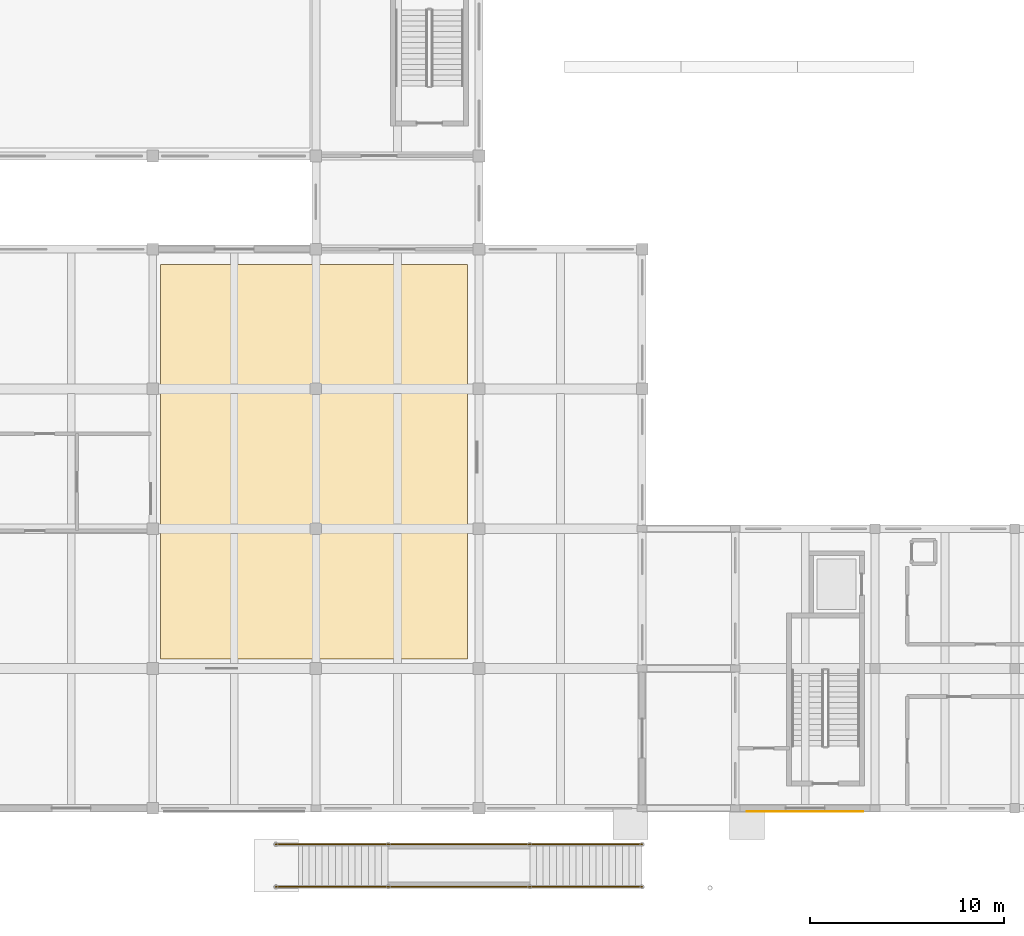
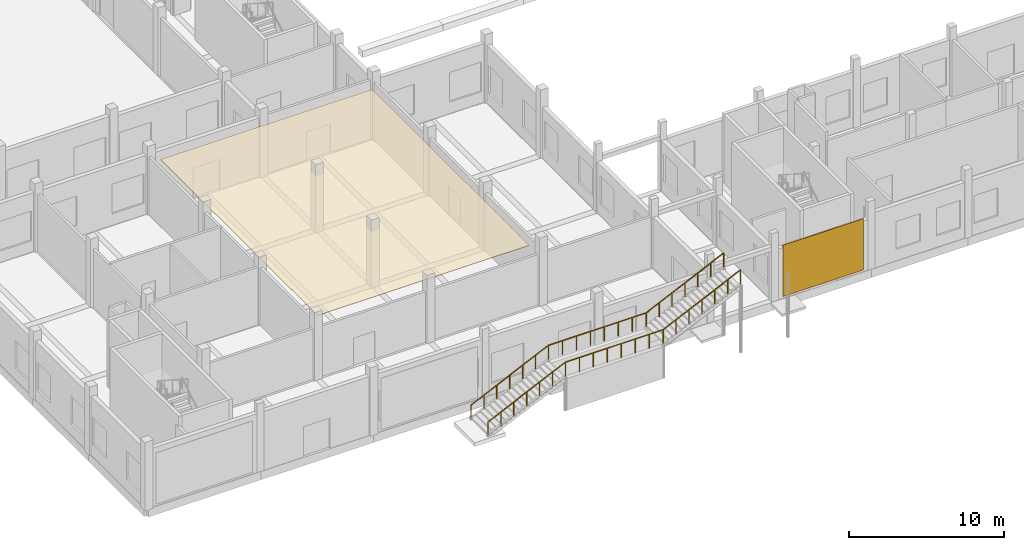
# One storey, part 32 of 41: 2 coverings, 2 railings.
"""IFC4 building model written with IfcOpenShell, lengths in metres."""

from ifc_helpers import new_model, si_unit, direction, frame, origin, origin_2d, place, context, subcontext, project, spatial, polyline, circle, outline, extrude, material, layer, layer_set, type_object, element, save


model = new_model("IFC4")

# Units and contexts
model_context = context("Model", 3, precision=1e-05, world=origin(), true_north=direction((0.0, 1.0)))
body_context = subcontext(model_context, "Body", "Model", "MODEL_VIEW")
ifc_project = project(units=[si_unit("LENGTHUNIT", "METRE"), si_unit("AREAUNIT", "SQUARE_METRE"), si_unit("VOLUMEUNIT", "CUBIC_METRE"), si_unit("PLANEANGLEUNIT", "RADIAN"), si_unit("MASSUNIT", "GRAM", prefix="KILO")], contexts=[model_context])

# Site, building, storey
site_placement = place(None, origin())
site = spatial("IfcSite", under=ifc_project, at=site_placement, CompositionType="ELEMENT")
building_placement = place(site_placement, origin())
building = spatial("IfcBuilding", under=site, at=building_placement, Name="Kahlenmark Community Centre", CompositionType="ELEMENT")
storey_placement = place(building_placement, origin())
storey = spatial("IfcBuildingStorey", under=building, at=storey_placement, Name="L00", CompositionType="ELEMENT", Elevation=0.0)

# Coverings
ifc_material_1 = material(Name="Perforated birch acoustic ceiling panel")
ifc_layer_1 = layer(ifc_material_1, 0.0400390625)
ifc_layer_set_1 = layer_set([ifc_layer_1], Name="Perforated birch acoustic ceiling panel")
covering_type_1 = type_object("IfcCoveringType", Name="CVT-CEIL-ACOUST", PredefinedType="CEILING", material=ifc_layer_set_1)
covering_1_placement = place(storey_placement, frame((0.0, 0.0, 4.419921875)))
element("IfcCovering", 1, at=covering_1_placement, inside=storey, type_object=covering_type_1, Name="Acoustic birch ceiling 01", PredefinedType="CEILING", context=body_context, shape_type="SweptSolid", body=[
    extrude(outline(polyline([(21.199951171875, 16.5), (37.0, 16.5), (37.0, 36.800048828125), (21.199951171875, 36.800048828125), (21.199951171875, 16.5)])), origin(), (0.0, 0.0, 1.0), 0.0400390625),
])
ifc_material_2 = material(Name="Honed Danube limestone plinth cladding", Category="masonry")
ifc_layer_2 = layer(ifc_material_2, 0.0400390625)
ifc_layer_set_2 = layer_set([ifc_layer_2], Name="Honed Danube limestone plinth cladding")
covering_type_2 = type_object("IfcCoveringType", Name="CVT-CLAD-LIME", PredefinedType="CLADDING", material=ifc_layer_set_2)
covering_2_placement = place(storey_placement, frame((0.0, 0.0, 0.14990234375)))
element("IfcCovering", 2, at=covering_2_placement, inside=storey, type_object=covering_type_2, Name="Danube limestone plinth cladding 03", PredefinedType="CLADDING", context=body_context, shape_type="SweptSolid", body=[
    extrude(outline(polyline([(51.39990234375, 8.6201171875), (57.39990234375, 8.6201171875), (57.39990234375, 8.659912109375), (51.39990234375, 8.659912109375), (51.39990234375, 8.6201171875)])), origin(), (0.0, 0.0, 1.0), 4.050048828125),
])

# Railings
ifc_material_3 = material(Name="Oxide-vermilion painted Steel S355 balustrade", Category="steel")
railing_type = type_object("IfcRailingType", Name="RLT-VERM-1120", PredefinedType="BALUSTRADE", material=ifc_material_3)
railing_1_placement = place(storey_placement, frame((27.139892578125, 4.7548828125, 0.0)))
element("IfcRailing", 3, at=railing_1_placement, inside=storey, type_object=railing_type, Name="ST-09 vermilion balustrade 1", PredefinedType="BALUSTRADE", context=body_context, shape_type="SweptSolid", body=[
    extrude(circle(Radius=0.02685546875, at=origin_2d()), frame((0.0, 0.0, 1.09326171875), z_axis=(0.906026648574, 0.0, 0.423220642305), x_axis=(0.0, 1.0, 0.0)), (0.0, 0.0, 1.0), 6.379638671875),
    extrude(circle(Radius=0.02685546875, at=origin_2d()), frame((5.780029296875, 0.0, 3.79296875), z_axis=(1.0, 0.0, 0.0), x_axis=(0.0, 1.0, 0.0)), (0.0, 0.0, 1.0), 7.300048828125),
    extrude(circle(Radius=0.02685546875, at=origin_2d()), frame((13.080078125, 0.0, 3.79296875), z_axis=(0.906026648574, 0.0, 0.423220642305), x_axis=(0.0, 1.0, 0.0)), (0.0, 0.0, 1.0), 6.379638671875),
    extrude(circle(Radius=0.02392578125, at=origin_2d()), origin(), (0.0, 0.0, 1.0), 1.066162109375),
    extrude(circle(Radius=0.02392578125, at=origin_2d()), frame((0.96337890625, 0.0, 0.449951171875)), (0.0, 0.0, 1.0), 1.066162109375),
    extrude(circle(Radius=0.02392578125, at=origin_2d()), frame((1.9267578125, 0.0, 0.89990234375)), (0.0, 0.0, 1.0), 1.066162109375),
    extrude(circle(Radius=0.02392578125, at=origin_2d()), frame((2.89013671875, 0.0, 1.35009765625)), (0.0, 0.0, 1.0), 1.066162109375),
    extrude(circle(Radius=0.02392578125, at=origin_2d()), frame((3.853271484375, 0.0, 1.800048828125)), (0.0, 0.0, 1.0), 1.066162109375),
    extrude(circle(Radius=0.02392578125, at=origin_2d()), frame((4.816650390625, 0.0, 2.25)), (0.0, 0.0, 1.0), 1.066162109375),
    extrude(circle(Radius=0.02392578125, at=origin_2d()), frame((5.780029296875, 0.0, 2.699951171875)), (0.0, 0.0, 1.0), 1.066162109375),
    extrude(circle(Radius=0.02392578125, at=origin_2d()), frame((6.822998046875, 0.0, 2.699951171875)), (0.0, 0.0, 1.0), 1.066162109375),
    extrude(circle(Radius=0.02392578125, at=origin_2d()), frame((7.86572265625, 0.0, 2.699951171875)), (0.0, 0.0, 1.0), 1.066162109375),
    extrude(circle(Radius=0.02392578125, at=origin_2d()), frame((8.90869140625, 0.0, 2.699951171875)), (0.0, 0.0, 1.0), 1.066162109375),
    extrude(circle(Radius=0.02392578125, at=origin_2d()), frame((9.951416015625, 0.0, 2.699951171875)), (0.0, 0.0, 1.0), 1.066162109375),
    extrude(circle(Radius=0.02392578125, at=origin_2d()), frame((10.994384765625, 0.0, 2.699951171875)), (0.0, 0.0, 1.0), 1.066162109375),
    extrude(circle(Radius=0.02392578125, at=origin_2d()), frame((12.037109375, 0.0, 2.699951171875)), (0.0, 0.0, 1.0), 1.066162109375),
    extrude(circle(Radius=0.02392578125, at=origin_2d()), frame((13.080078125, 0.0, 2.699951171875)), (0.0, 0.0, 1.0), 1.066162109375),
    extrude(circle(Radius=0.02392578125, at=origin_2d()), frame((14.04345703125, 0.0, 3.14990234375)), (0.0, 0.0, 1.0), 1.066162109375),
    extrude(circle(Radius=0.02392578125, at=origin_2d()), frame((15.0068359375, 0.0, 3.599853515625)), (0.0, 0.0, 1.0), 1.066162109375),
    extrude(circle(Radius=0.02392578125, at=origin_2d()), frame((15.97021484375, 0.0, 4.0498046875)), (0.0, 0.0, 1.0), 1.066162109375),
    extrude(circle(Radius=0.02392578125, at=origin_2d()), frame((16.933349609375, 0.0, 4.5)), (0.0, 0.0, 1.0), 1.066162109375),
    extrude(circle(Radius=0.02392578125, at=origin_2d()), frame((17.896728515625, 0.0, 4.949951171875)), (0.0, 0.0, 1.0), 1.066162109375),
    extrude(circle(Radius=0.02392578125, at=origin_2d()), frame((18.860107421875, 0.0, 5.39990234375)), (0.0, 0.0, 1.0), 1.066162109375),
])
railing_2_placement = place(storey_placement, frame((27.139892578125, 6.945068359375, 0.0)))
element("IfcRailing", 4, at=railing_2_placement, inside=storey, type_object=railing_type, Name="ST-09 vermilion balustrade 2", PredefinedType="BALUSTRADE", context=body_context, shape_type="SweptSolid", body=[
    extrude(circle(Radius=0.02685546875, at=origin_2d()), frame((0.0, 0.0, 1.09326171875), z_axis=(0.906026648574, 0.0, 0.423220642305), x_axis=(0.0, 1.0, 0.0)), (0.0, 0.0, 1.0), 6.379638671875),
    extrude(circle(Radius=0.02685546875, at=origin_2d()), frame((5.780029296875, 0.0, 3.79296875), z_axis=(1.0, 0.0, 0.0), x_axis=(0.0, 1.0, 0.0)), (0.0, 0.0, 1.0), 7.300048828125),
    extrude(circle(Radius=0.02685546875, at=origin_2d()), frame((13.080078125, 0.0, 3.79296875), z_axis=(0.906026648574, 0.0, 0.423220642305), x_axis=(0.0, 1.0, 0.0)), (0.0, 0.0, 1.0), 6.379638671875),
    extrude(circle(Radius=0.02392578125, at=origin_2d()), origin(), (0.0, 0.0, 1.0), 1.066162109375),
    extrude(circle(Radius=0.02392578125, at=origin_2d()), frame((0.96337890625, 0.0, 0.449951171875)), (0.0, 0.0, 1.0), 1.066162109375),
    extrude(circle(Radius=0.02392578125, at=origin_2d()), frame((1.9267578125, 0.0, 0.89990234375)), (0.0, 0.0, 1.0), 1.066162109375),
    extrude(circle(Radius=0.02392578125, at=origin_2d()), frame((2.89013671875, 0.0, 1.35009765625)), (0.0, 0.0, 1.0), 1.066162109375),
    extrude(circle(Radius=0.02392578125, at=origin_2d()), frame((3.853271484375, 0.0, 1.800048828125)), (0.0, 0.0, 1.0), 1.066162109375),
    extrude(circle(Radius=0.02392578125, at=origin_2d()), frame((4.816650390625, 0.0, 2.25)), (0.0, 0.0, 1.0), 1.066162109375),
    extrude(circle(Radius=0.02392578125, at=origin_2d()), frame((5.780029296875, 0.0, 2.699951171875)), (0.0, 0.0, 1.0), 1.066162109375),
    extrude(circle(Radius=0.02392578125, at=origin_2d()), frame((6.822998046875, 0.0, 2.699951171875)), (0.0, 0.0, 1.0), 1.066162109375),
    extrude(circle(Radius=0.02392578125, at=origin_2d()), frame((7.86572265625, 0.0, 2.699951171875)), (0.0, 0.0, 1.0), 1.066162109375),
    extrude(circle(Radius=0.02392578125, at=origin_2d()), frame((8.90869140625, 0.0, 2.699951171875)), (0.0, 0.0, 1.0), 1.066162109375),
    extrude(circle(Radius=0.02392578125, at=origin_2d()), frame((9.951416015625, 0.0, 2.699951171875)), (0.0, 0.0, 1.0), 1.066162109375),
    extrude(circle(Radius=0.02392578125, at=origin_2d()), frame((10.994384765625, 0.0, 2.699951171875)), (0.0, 0.0, 1.0), 1.066162109375),
    extrude(circle(Radius=0.02392578125, at=origin_2d()), frame((12.037109375, 0.0, 2.699951171875)), (0.0, 0.0, 1.0), 1.066162109375),
    extrude(circle(Radius=0.02392578125, at=origin_2d()), frame((13.080078125, 0.0, 2.699951171875)), (0.0, 0.0, 1.0), 1.066162109375),
    extrude(circle(Radius=0.02392578125, at=origin_2d()), frame((14.04345703125, 0.0, 3.14990234375)), (0.0, 0.0, 1.0), 1.066162109375),
    extrude(circle(Radius=0.02392578125, at=origin_2d()), frame((15.0068359375, 0.0, 3.599853515625)), (0.0, 0.0, 1.0), 1.066162109375),
    extrude(circle(Radius=0.02392578125, at=origin_2d()), frame((15.97021484375, 0.0, 4.0498046875)), (0.0, 0.0, 1.0), 1.066162109375),
    extrude(circle(Radius=0.02392578125, at=origin_2d()), frame((16.933349609375, 0.0, 4.5)), (0.0, 0.0, 1.0), 1.066162109375),
    extrude(circle(Radius=0.02392578125, at=origin_2d()), frame((17.896728515625, 0.0, 4.949951171875)), (0.0, 0.0, 1.0), 1.066162109375),
    extrude(circle(Radius=0.02392578125, at=origin_2d()), frame((18.860107421875, 0.0, 5.39990234375)), (0.0, 0.0, 1.0), 1.066162109375),
])

save(model, "model.ifc")
